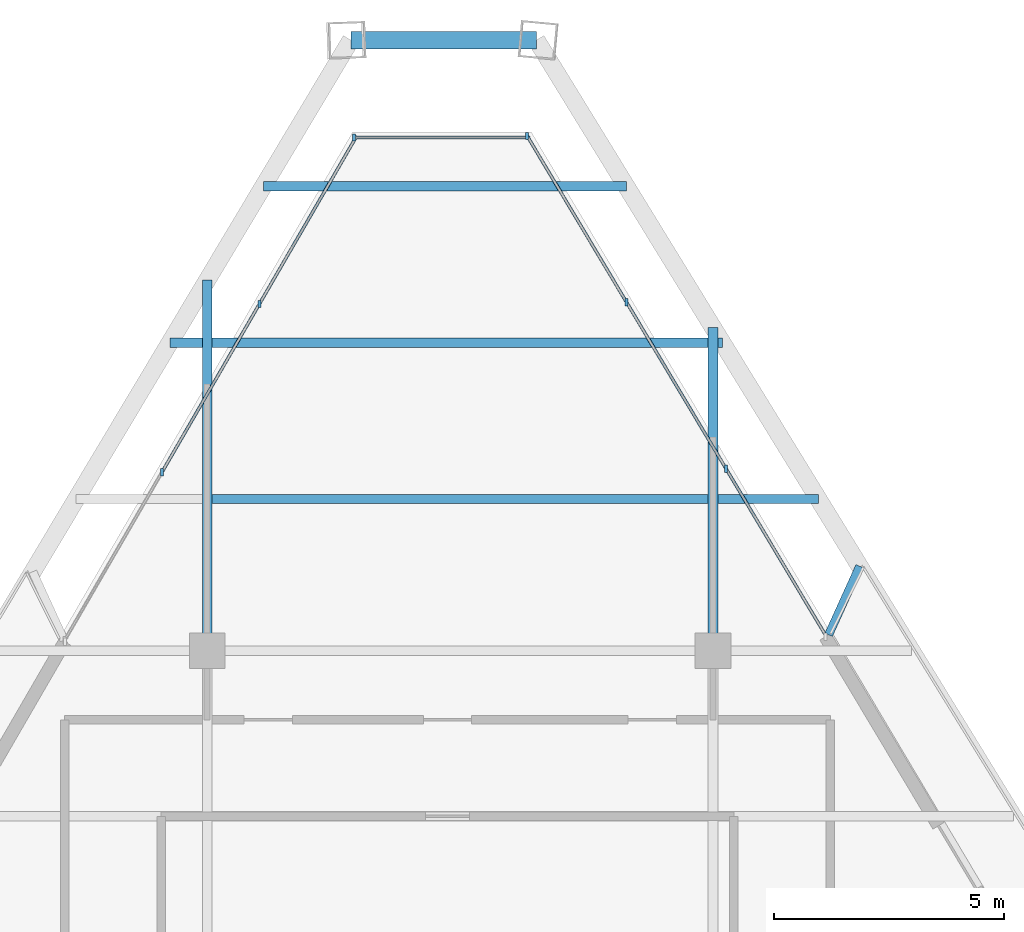
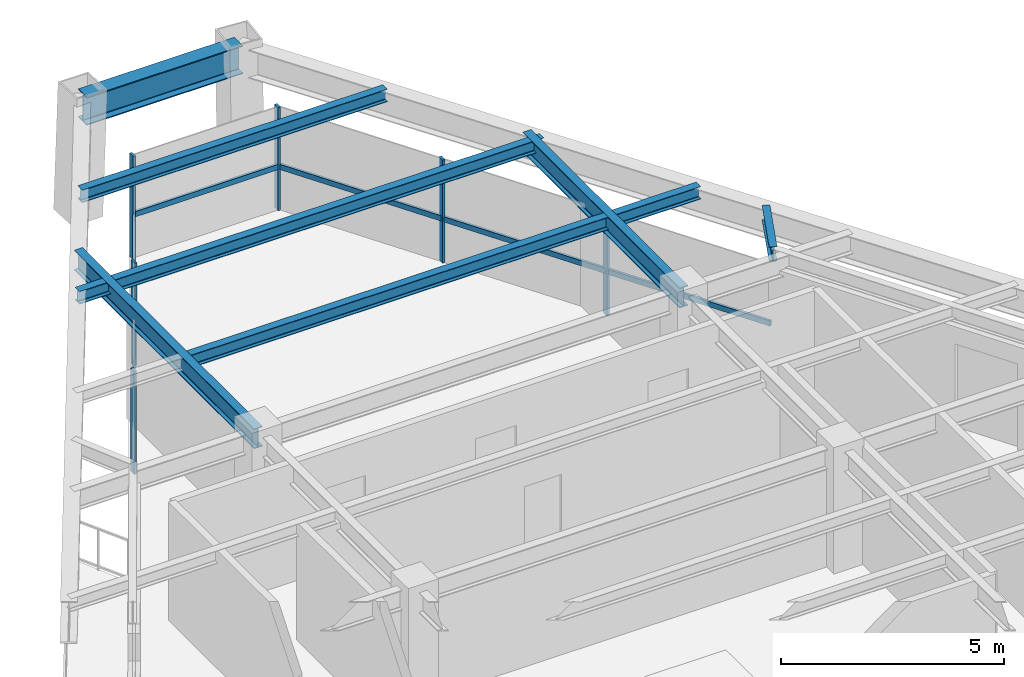
# One storey, part 7 of 13: 12 members, 8 beams, 3 elements without a shape of their own.
"""IFC4 building model written with IfcOpenShell, lengths in metres."""

import ifcopenshell
import ifcopenshell.guid

model = None  # the IFC model being written
_history = None  # IfcOwnerHistory: only IFC2X3 demands one
_inside = {}  # id of a spatial element -> (the spatial element, [elements in it])
_under = {}  # id of a project, library or spatial element -> (it, [spatial elements below it])
_declared = {}  # id of a project -> (the project, [libraries it declares])
_typed = {}  # id of a type object -> (the type object, [elements of that type])
_made_of = {}  # id of a material, layer set ... -> (it, [elements and type objects made of it])


def new_model(schema):
    """Start an empty IFC model of exactly this schema.

    Asked for "IFC4X3", IfcOpenShell would pick the latest addendum, in which some entities
    have other attributes; the version numbers below select the first issue.
    IFC2X3 requires an IfcOwnerHistory on every rooted entity: one is made here for all.
    """
    global model, _history
    if schema == "IFC4X3":
        model = ifcopenshell.file(schema_version=(4, 3, 0, 0))
    else:
        model = ifcopenshell.file(schema=schema)
    _inside.clear()
    _under.clear()
    _declared.clear()
    _typed.clear()
    _made_of.clear()
    _history = None
    if model.schema == "IFC2X3":
        org = make("IfcOrganization", Name="unknown")
        user = make(
            "IfcPersonAndOrganization",
            ThePerson=make("IfcPerson", FamilyName="unknown"),
            TheOrganization=org,
        )
        app = make(
            "IfcApplication",
            ApplicationDeveloper=org,
            Version="unknown",
            ApplicationFullName="unknown",
            ApplicationIdentifier="unknown",
        )
        _history = make(
            "IfcOwnerHistory",
            OwningUser=user,
            OwningApplication=app,
            ChangeAction="ADDED",
            CreationDate=0,
        )
    return model


def make(cls, **values):
    """One entity of the class cls with the attributes given. An attribute that is None is left unset."""
    return model.create_entity(
        cls, **{name: value for name, value in values.items() if value is not None}
    )


def rooted(cls, **values):
    """An entity with a GlobalId (a new one), such as an element, a storey or a relation."""
    return make(cls, GlobalId=ifcopenshell.guid.new(), OwnerHistory=_history, **values)


def si_unit(unit_type, name, prefix=None):
    """IfcSIUnit, for example si_unit("LENGTHUNIT", "METRE", prefix="MILLI")."""
    return make("IfcSIUnit", UnitType=unit_type, Prefix=prefix, Name=name)


def assignment(units):
    """IfcUnitAssignment: the units of a project."""
    return None if units is None else make("IfcUnitAssignment", Units=units)


def point(xyz):
    """IfcCartesianPoint."""
    return None if xyz is None else make("IfcCartesianPoint", Coordinates=xyz)


def direction(xyz):
    """IfcDirection."""
    return None if xyz is None else make("IfcDirection", DirectionRatios=xyz)


def frame(location, z_axis=None, x_axis=None):
    """IfcAxis2Placement3D, a coordinate frame: its origin and axes. An axis left out is left unset."""
    return make(
        "IfcAxis2Placement3D",
        Location=point(location),
        Axis=direction(z_axis),
        RefDirection=direction(x_axis),
    )


def frame_2d(location, x_axis=None):
    """IfcAxis2Placement2D, a coordinate frame in the plane: its origin and x axis."""
    return make(
        "IfcAxis2Placement2D", Location=point(location), RefDirection=direction(x_axis)
    )


def origin():
    """The frame at (0, 0, 0) with its axes left unset."""
    return frame((0.0, 0.0, 0.0))


def origin_2d():
    """The frame at (0, 0) in the plane with its x axis left unset."""
    return frame_2d((0.0, 0.0))


def place(relative_to, where):
    """IfcLocalPlacement: puts the frame where relative to a parent placement (None: the world)."""
    return make(
        "IfcLocalPlacement", PlacementRelTo=relative_to, RelativePlacement=where
    )


def context(
    kind, dimensions, precision=None, world=None, true_north=None, identifier=None
):
    """IfcGeometricRepresentationContext, for example the 3D "Model" context."""
    return make(
        "IfcGeometricRepresentationContext",
        ContextIdentifier=identifier,
        ContextType=kind,
        CoordinateSpaceDimension=dimensions,
        Precision=precision,
        WorldCoordinateSystem=world,
        TrueNorth=true_north,
    )


def subcontext(parent, identifier, kind, view, scale=None):
    """IfcGeometricRepresentationSubContext, for example "Body" below "Model"."""
    return make(
        "IfcGeometricRepresentationSubContext",
        ContextIdentifier=identifier,
        ContextType=kind,
        ParentContext=parent,
        TargetScale=scale,
        TargetView=view,
    )


def project(units=None, contexts=None):
    """IfcProject with its units and contexts."""
    return rooted(
        "IfcProject",
        Name="project",
        RepresentationContexts=contexts,
        UnitsInContext=assignment(units),
    )


def spatial(cls, under=None, at=None, **own):
    """A site, building, storey or space (cls), placed at a placement, below another one or the project."""
    s = rooted(cls, ObjectPlacement=at, **own)
    if under is not None:
        _under.setdefault(under.id(), (under, []))[1].append(s)
    return s


def profile(cls, at=None, kind="AREA", **sizes):
    """A parametric profile (cls). Its sizes go by their IFC names, for example OverallWidth=200.0."""
    return make(cls, ProfileType=kind, Position=at, **sizes)


def rectangle(**sizes):
    """IfcRectangleProfileDef."""
    return profile("IfcRectangleProfileDef", **sizes)


def i_section(**sizes):
    """IfcIShapeProfileDef."""
    return profile("IfcIShapeProfileDef", **sizes)


def extrude(swept, where, along, depth):
    """IfcExtrudedAreaSolid: the profile swept, set in the frame where, extruded along a direction by depth."""
    return make(
        "IfcExtrudedAreaSolid",
        SweptArea=swept,
        Position=where,
        ExtrudedDirection=direction(along),
        Depth=depth,
    )


def shape(context_of_items, identifier, shape_type, items):
    """IfcShapeRepresentation: the items that make up one representation, for example the "Body"."""
    return make(
        "IfcShapeRepresentation",
        ContextOfItems=context_of_items,
        RepresentationIdentifier=identifier,
        RepresentationType=shape_type,
        Items=items,
    )


def source(mapping_origin, context_of_items, identifier, shape_type, items):
    """IfcRepresentationMap: a shape defined once, which mapped items show again and again."""
    return make(
        "IfcRepresentationMap",
        MappingOrigin=mapping_origin,
        MappedRepresentation=shape(context_of_items, identifier, shape_type, items),
    )


def transform(
    local_origin,
    x_axis=None,
    y_axis=None,
    z_axis=None,
    scale=None,
    scale2=None,
    scale3=None,
    uniform=True,
):
    """IfcCartesianTransformationOperator3D, or its non-uniform kind. x_axis, y_axis, z_axis: its Axis1, 2, 3."""
    if uniform:
        return make(
            "IfcCartesianTransformationOperator3D",
            Axis1=direction(x_axis),
            Axis2=direction(y_axis),
            LocalOrigin=point(local_origin),
            Scale=scale,
            Axis3=direction(z_axis),
        )
    return make(
        "IfcCartesianTransformationOperator3DnonUniform",
        Axis1=direction(x_axis),
        Axis2=direction(y_axis),
        LocalOrigin=point(local_origin),
        Scale=scale,
        Axis3=direction(z_axis),
        Scale2=scale2,
        Scale3=scale3,
    )


def mapped(mapping_source, mapping_target):
    """IfcMappedItem: shows the shape of a source again, moved by a transform."""
    return make(
        "IfcMappedItem", MappingSource=mapping_source, MappingTarget=mapping_target
    )


def material(Name=None, Category=None):
    """IfcMaterial."""
    return make("IfcMaterial", Name=Name, Category=Category)


def material_profile(
    of_material, cross_section, Name=None, Category=None, Priority=None
):
    """IfcMaterialProfile: a cross section and its material."""
    return make(
        "IfcMaterialProfile",
        Name=Name,
        Material=of_material,
        Profile=cross_section,
        Priority=Priority,
        Category=Category,
    )


def profile_set(profiles, Name=None, composite=None):
    """IfcMaterialProfileSet."""
    return make(
        "IfcMaterialProfileSet",
        Name=Name,
        MaterialProfiles=profiles,
        CompositeProfile=composite,
    )


def made_of(thing, what):
    """Note that an element or type object is made of a material, layer set ...; save() writes the relation."""
    if what is not None:
        _made_of.setdefault(what.id(), (what, []))[1].append(thing)
    return thing


def type_object(cls, material=None, **own):
    """A type object (cls), such as IfcWallType, which elements share."""
    return made_of(rooted(cls, **own), material)


def type_shapes(of_type, sources):
    """Give a type object the sources (RepresentationMaps) that its elements show as mapped items."""
    of_type.RepresentationMaps = sources


def element(
    cls,
    number,
    at=None,
    inside=None,
    cuts=None,
    type_object=None,
    material=None,
    context=None,
    identifier="Body",
    shape_type=None,
    held_by="IfcProductDefinitionShape",
    body=None,
    shapes=None,
    **own,
):
    """One element of the class cls, such as IfcWall. Its Tag is "e" and its number.

    at: its placement. inside: the storey or other place that contains it. cuts: it is an
    opening in that element (IfcRelVoidsElement). A single representation is given by context,
    identifier, shape_type and body (its items); several are given by shapes. held_by: the class
    of the entity that holds the representations. save() writes the other relations.
    """
    e = rooted(cls, Tag="e%d" % number, ObjectPlacement=at, **own)
    if body is not None:
        shapes = [shape(context, identifier, shape_type, body)]
    if shapes is not None:
        e.Representation = make(held_by, Representations=shapes)
    if inside is not None:
        _inside.setdefault(inside.id(), (inside, []))[1].append(e)
    if cuts is not None:
        rooted(
            "IfcRelVoidsElement", RelatingBuildingElement=cuts, RelatedOpeningElement=e
        )
    if type_object is not None:
        _typed.setdefault(type_object.id(), (type_object, []))[1].append(e)
    return made_of(e, material)


def aggregate(whole, parts):
    """IfcRelAggregates: a whole, such as a stair, and the parts it consists of."""
    return rooted("IfcRelAggregates", RelatingObject=whole, RelatedObjects=parts)


def save(model, path):
    """Write the relations noted so far, then the file.

    IfcRelAggregates (storeys below a building ...), IfcRelContainedInSpatialStructure (elements
    in a storey), IfcRelDefinesByType, IfcRelAssociatesMaterial and IfcRelDeclares: one each for
    every whole, place, type object, material and project.
    """
    for whole, parts in _under.values():
        aggregate(whole, parts)
    for where, things in _inside.values():
        rooted(
            "IfcRelContainedInSpatialStructure",
            RelatedElements=things,
            RelatingStructure=where,
        )
    for kind, things in _typed.values():
        rooted("IfcRelDefinesByType", RelatedObjects=things, RelatingType=kind)
    for what, things in _made_of.values():
        rooted("IfcRelAssociatesMaterial", RelatedObjects=things, RelatingMaterial=what)
    for by, libraries in _declared.values():
        rooted("IfcRelDeclares", RelatingContext=by, RelatedDefinitions=libraries)
    model.write(path)


model = new_model("IFC4")

# Units and contexts
model_context = context("Model", 3, precision=1e-05, world=origin(), true_north=direction((0.0, 1.0)))
body_context = subcontext(model_context, "Body", "Model", "MODEL_VIEW")
ifc_project = project(units=[si_unit("LENGTHUNIT", "METRE"), si_unit("AREAUNIT", "SQUARE_METRE"), si_unit("VOLUMEUNIT", "CUBIC_METRE"), si_unit("PLANEANGLEUNIT", "RADIAN"), si_unit("MASSUNIT", "GRAM", prefix="KILO")], contexts=[model_context])

# Site, building, storey
site_placement = place(None, origin())
site = spatial("IfcSite", under=ifc_project, at=site_placement, CompositionType="ELEMENT")
building_placement = place(site_placement, origin())
building = spatial("IfcBuilding", under=site, at=building_placement, Name="Varnakhor Terracotta Tower", CompositionType="ELEMENT")
storey_placement = place(building_placement, frame((0.0, 0.0, 269.550048828125)))
storey = spatial("IfcBuildingStorey", under=building, at=storey_placement, Name="L70", CompositionType="ELEMENT", Elevation=269.550048828125)

# Beams
ifc_material_1 = material(Name="Steel S355", Category="steel")
ifc_material_profile_1 = material_profile(ifc_material_1, i_section(OverallWidth=0.202880859375, OverallDepth=0.346923828125, WebThickness=0.0078125, FlangeThickness=0.013427734375, FilletRadius=0.01806640625, at=origin_2d()), Name="W14X43")
ifc_profile_set_1 = profile_set([ifc_material_profile_1], Name="Steel S355")
beam_type_1 = type_object("IfcBeamType", Name="JST-W14X43", PredefinedType="JOIST", material=ifc_profile_set_1)
shared_shape_1 = source(origin(), body_context, "Body", "SweptSolid", [
    extrude(i_section(OverallWidth=0.202880859375, OverallDepth=0.346923828125, WebThickness=0.0078125, FlangeThickness=0.013427734375, FilletRadius=0.01806640625, at=origin_2d()), origin(), (0.0, 0.0, 1.0), 10.7939453125),
])
beam_1_placement = place(storey_placement, frame((-5.39697265625, 34.800048828125, 3.06640625), z_axis=(1.0, 0.0, 0.0), x_axis=(0.0, 1.0, 0.0)))
element("IfcBeam", 1, at=beam_1_placement, inside=storey, type_object=beam_type_1, Name="L70 Composite Floor Joist 7-2", PredefinedType="JOIST", context=body_context, shape_type="MappedRepresentation", body=[
    mapped(shared_shape_1, transform((0.0, 0.0, 0.0), scale=1.0)),
])
ifc_material_profile_2 = material_profile(ifc_material_1, i_section(OverallWidth=0.381103515625, OverallDepth=0.77294921875, WebThickness=0.01708984375, FlangeThickness=0.027099609375, FilletRadius=0.01806640625, at=origin_2d()), Name="W30X173")
ifc_profile_set_2 = profile_set([ifc_material_profile_2], Name="Steel S355")
beam_type_2 = type_object("IfcBeamType", Name="BM-W30X173", PredefinedType="BEAM", material=ifc_profile_set_2)
shared_shape_2 = source(origin(), body_context, "Body", "SweptSolid", [
    extrude(i_section(OverallWidth=0.381103515625, OverallDepth=0.77294921875, WebThickness=0.01708984375, FlangeThickness=0.027099609375, FilletRadius=0.01806640625, at=origin_2d()), origin(), (0.0, 0.0, 1.0), 4.036376953125),
])
beam_2_placement = place(storey_placement, frame((1.6591796875, 44.78076171875, 2.853515625), z_axis=(-1.0, 0.0, 0.0), x_axis=(0.0, -1.0, 0.0)))
element("IfcBeam", 2, at=beam_2_placement, inside=storey, type_object=beam_type_2, Name="L70 Perimeter Spandrel 5", PredefinedType="BEAM", context=body_context, shape_type="MappedRepresentation", body=[
    mapped(shared_shape_2, transform((0.0, 0.0, 0.0), scale=1.0)),
])
ifc_material_profile_3 = material_profile(ifc_material_1, i_section(OverallWidth=0.214111328125, OverallDepth=0.549072265625, WebThickness=0.014892578125, FlangeThickness=0.02392578125, FilletRadius=0.01806640625, at=origin_2d()), Name="W21X93")
ifc_profile_set_3 = profile_set([ifc_material_profile_3], Name="Steel S355")
beam_type_3 = type_object("IfcBeamType", Name="BM-W21X93", PredefinedType="BEAM", material=ifc_profile_set_3)
shared_shape_3 = source(origin(), body_context, "Body", "SweptSolid", [
    extrude(i_section(OverallWidth=0.214111328125, OverallDepth=0.549072265625, WebThickness=0.014892578125, FlangeThickness=0.02392578125, FilletRadius=0.01806640625, at=origin_2d()), origin(), (0.0, 0.0, 1.0), 8.060302734375),
])
beam_3_placement = place(storey_placement, frame((-5.5, 31.5, 2.96533203125), z_axis=(0.0, 1.0, 0.0), x_axis=(-1.0, 0.0, 0.0)))
element("IfcBeam", 3, at=beam_3_placement, inside=storey, type_object=beam_type_3, Name="L70 Primary Girder NS3-W", PredefinedType="BEAM", context=body_context, shape_type="MappedRepresentation", body=[
    mapped(shared_shape_3, transform((0.0, 0.0, 0.0), scale=1.0)),
])
shared_shape_4 = source(origin(), body_context, "Body", "SweptSolid", [
    extrude(i_section(OverallWidth=0.214111328125, OverallDepth=0.549072265625, WebThickness=0.014892578125, FlangeThickness=0.02392578125, FilletRadius=0.01806640625, at=origin_2d()), origin(), (0.0, 0.0, 1.0), 7.027587890625),
])
beam_4_placement = place(storey_placement, frame((5.5, 31.5, 2.96533203125), z_axis=(0.0, 1.0, 0.0), x_axis=(-1.0, 0.0, 0.0)))
element("IfcBeam", 4, at=beam_4_placement, inside=storey, type_object=beam_type_3, Name="L70 Primary Girder NS3-E", PredefinedType="BEAM", context=body_context, shape_type="MappedRepresentation", body=[
    mapped(shared_shape_4, transform((0.0, 0.0, 0.0), scale=1.0)),
])
shared_shape_5 = source(origin(), body_context, "Body", "SweptSolid", [
    extrude(i_section(OverallWidth=0.202880859375, OverallDepth=0.346923828125, WebThickness=0.0078125, FlangeThickness=0.013427734375, FilletRadius=0.01806640625, at=origin_2d()), origin(), (0.0, 0.0, 1.0), 2.1865234375),
])
beam_5_placement = place(storey_placement, frame((5.60302734375, 34.800048828125, 3.06640625), z_axis=(1.0, 0.0, 0.0), x_axis=(0.0, 1.0, 0.0)))
element("IfcBeam", 5, at=beam_5_placement, inside=storey, type_object=beam_type_1, Name="L70 Composite Floor Joist 7-3", PredefinedType="JOIST", context=body_context, shape_type="MappedRepresentation", body=[
    mapped(shared_shape_5, transform((0.0, 0.0, 0.0), scale=1.0)),
])
shared_shape_6 = source(origin(), body_context, "Body", "SweptSolid", [
    extrude(i_section(OverallWidth=0.202880859375, OverallDepth=0.346923828125, WebThickness=0.0078125, FlangeThickness=0.013427734375, FilletRadius=0.01806640625, at=origin_2d()), origin(), (0.0, 0.0, 1.0), 12.01513671875),
])
beam_6_placement = place(storey_placement, frame((-6.313720703125, 38.199951171875, 3.06640625), z_axis=(1.0, 0.0, 0.0), x_axis=(0.0, 1.0, 0.0)))
element("IfcBeam", 6, at=beam_6_placement, inside=storey, type_object=beam_type_1, Name="L70 Composite Floor Joist 8-1", PredefinedType="JOIST", context=body_context, shape_type="MappedRepresentation", body=[
    mapped(shared_shape_6, transform((0.0, 0.0, 0.0), scale=1.0)),
])
shared_shape_7 = source(origin(), body_context, "Body", "SweptSolid", [
    extrude(i_section(OverallWidth=0.202880859375, OverallDepth=0.346923828125, WebThickness=0.0078125, FlangeThickness=0.013427734375, FilletRadius=0.01806640625, at=origin_2d()), origin(), (0.0, 0.0, 1.0), 7.892822265625),
])
beam_7_placement = place(storey_placement, frame((-4.27978515625, 41.60009765625, 3.06640625), z_axis=(1.0, 0.0, 0.0), x_axis=(0.0, 1.0, 0.0)))
element("IfcBeam", 7, at=beam_7_placement, inside=storey, type_object=beam_type_1, Name="L70 Composite Floor Joist 9-1", PredefinedType="JOIST", context=body_context, shape_type="MappedRepresentation", body=[
    mapped(shared_shape_7, transform((0.0, 0.0, 0.0), scale=1.0)),
])
ifc_material_profile_4 = material_profile(ifc_material_1, i_section(OverallWidth=0.179931640625, OverallDepth=0.39990234375, WebThickness=0.008544921875, FlangeThickness=0.013427734375, FilletRadius=0.01806640625, at=origin_2d()), Name="IPE400")
ifc_profile_set_4 = profile_set([ifc_material_profile_4], Name="Steel S355")
beam_type_4 = type_object("IfcBeamType", Name="JST-IPE400", PredefinedType="JOIST", material=ifc_profile_set_4)
shared_shape_8 = source(origin(), body_context, "Body", "SweptSolid", [
    extrude(i_section(OverallWidth=0.179931640625, OverallDepth=0.39990234375, WebThickness=0.008544921875, FlangeThickness=0.013427734375, FilletRadius=0.01806640625, at=origin_2d()), origin(), (0.0, 0.0, 1.0), 1.635986328125),
])
beam_8_placement = place(storey_placement, frame((8.011962890625, 31.848388671875, 3.0400390625), z_axis=(0.412925757029, 0.910764689248, 0.0), x_axis=(-0.910764689248, 0.412925757029, 0.0)))
element("IfcBeam", 8, at=beam_8_placement, inside=storey, type_object=beam_type_4, Name="L71 E Loggia Tie Beam 1", PredefinedType="JOIST", context=body_context, shape_type="MappedRepresentation", body=[
    mapped(shared_shape_8, transform((0.0, 0.0, 0.0), scale=1.0)),
])

# Curtain wall, members
ifc_material_2 = material(Name="Anodised Aluminium Curtain Wall System", Category="aluminium")
curtain_wall_type = type_object("IfcCurtainWallType", Name="CW-SYS-HOTEL-LOGGIA", PredefinedType="NOTDEFINED", material=ifc_material_2)
curtain_wall_1_placement = place(storey_placement, origin())
curtain_wall_1 = element("IfcCurtainWall", 9, at=curtain_wall_1_placement, inside=storey, type_object=curtain_wall_type, Name="L70 W Facet Curtain Wall 2", PredefinedType="NOTDEFINED")
ifc_material_3 = material(Name="Anodised Aluminium 6063-T6", Category="aluminium")
ifc_material_profile_5 = material_profile(ifc_material_3, rectangle(XDim=0.06494140625, YDim=0.159912109375, at=origin_2d()), Name="ALU MULLION 65x160")
ifc_profile_set_5 = profile_set([ifc_material_profile_5], Name="Anodised Aluminium 6063-T6")
member_type_1 = type_object("IfcMemberType", Name="CWM-04", PredefinedType="MULLION", material=ifc_profile_set_5)
shared_shape_9 = source(origin(), body_context, "Body", "SweptSolid", [
    extrude(rectangle(XDim=0.06494140625, YDim=0.159912109375, at=origin_2d()), origin(), (0.0, 0.0, 1.0), 2.820068359375),
])
type_shapes(member_type_1, [shared_shape_9])
member_1_placement = place(storey_placement, frame((-6.481201171875, 35.385986328125, 0.0), z_axis=(0.0, 0.0, 1.0), x_axis=(1.0, 0.0, 0.0)))
member_1 = element("IfcMember", 10, at=member_1_placement, type_object=member_type_1, Name="L70 W Facet Curtain Wall 2 Mullion 2", PredefinedType="MULLION", context=body_context, shape_type="MappedRepresentation", body=[
    mapped(shared_shape_9, transform((0.0, 0.0, 0.0), scale=1.0)),
])
member_2_placement = place(storey_placement, frame((-4.36474609375, 39.040283203125, 0.0), z_axis=(0.0, 0.0, 1.0), x_axis=(1.0, 0.0, 0.0)))
member_2 = element("IfcMember", 11, at=member_2_placement, type_object=member_type_1, Name="L70 W Facet Curtain Wall 2 Mullion 3", PredefinedType="MULLION", context=body_context, shape_type="MappedRepresentation", body=[
    mapped(shared_shape_9, transform((0.0, 0.0, 0.0), scale=1.0)),
])

# Curtain wall, member
curtain_wall_2_placement = place(storey_placement, origin())
curtain_wall_2 = element("IfcCurtainWall", 12, at=curtain_wall_2_placement, inside=storey, type_object=curtain_wall_type, Name="L70 Facet Curtain Wall 2", PredefinedType="NOTDEFINED")
member_3_placement = place(storey_placement, frame((-2.306884765625, 42.66064453125, 0.0), z_axis=(0.0, 0.0, 1.0), x_axis=(1.0, 0.0, 0.0)))
member_3 = element("IfcMember", 13, at=member_3_placement, type_object=member_type_1, Name="L70 Facet Curtain Wall 2 Mullion 1", PredefinedType="MULLION", context=body_context, shape_type="MappedRepresentation", body=[
    mapped(shared_shape_9, transform((0.0, 0.0, 0.0), scale=1.0)),
])

# Curtain wall, members
curtain_wall_3_placement = place(storey_placement, origin())
curtain_wall_3 = element("IfcCurtainWall", 14, at=curtain_wall_3_placement, inside=storey, type_object=curtain_wall_type, Name="L70 E Facet Curtain Wall 1", PredefinedType="NOTDEFINED")
member_4_placement = place(storey_placement, frame((1.45849609375, 42.693359375, 0.0), z_axis=(0.0, 0.0, 1.0), x_axis=(1.0, 0.0, 0.0)))
member_4 = element("IfcMember", 15, at=member_4_placement, type_object=member_type_1, Name="L70 E Facet Curtain Wall 1 Mullion 1", PredefinedType="MULLION", context=body_context, shape_type="MappedRepresentation", body=[
    mapped(shared_shape_9, transform((0.0, 0.0, 0.0), scale=1.0)),
])
member_5_placement = place(storey_placement, frame((3.620361328125, 39.076416015625, 0.0), z_axis=(0.0, 0.0, 1.0), x_axis=(1.0, 0.0, 0.0)))
member_5 = element("IfcMember", 16, at=member_5_placement, type_object=member_type_1, Name="L70 E Facet Curtain Wall 1 Mullion 2", PredefinedType="MULLION", context=body_context, shape_type="MappedRepresentation", body=[
    mapped(shared_shape_9, transform((0.0, 0.0, 0.0), scale=1.0)),
])
member_6_placement = place(storey_placement, frame((5.7822265625, 35.459716796875, 0.0), z_axis=(0.0, 0.0, 1.0), x_axis=(1.0, 0.0, 0.0)))
member_6 = element("IfcMember", 17, at=member_6_placement, type_object=member_type_1, Name="L70 E Facet Curtain Wall 1 Mullion 3", PredefinedType="MULLION", context=body_context, shape_type="MappedRepresentation", body=[
    mapped(shared_shape_9, transform((0.0, 0.0, 0.0), scale=1.0)),
])

# Member
ifc_material_profile_6 = material_profile(ifc_material_3, rectangle(XDim=0.06494140625, YDim=0.14501953125, at=origin_2d()), Name="ALU TRANSOM 65x145")
ifc_profile_set_6 = profile_set([ifc_material_profile_6], Name="Anodised Aluminium 6063-T6")
member_type_2 = type_object("IfcMemberType", Name="CWT-04", PredefinedType="USERDEFINED", material=ifc_profile_set_6)
shared_shape_10 = source(origin(), body_context, "Body", "SweptSolid", [
    extrude(rectangle(XDim=0.06494140625, YDim=0.14501953125, at=origin_2d()), origin(), (0.0, 0.0, 1.0), 4.222900390625),
])
member_7_placement = place(storey_placement, frame((-6.481201171875, 35.385986328125, 1.184326171875), z_axis=(0.501179836291, 0.865343152567, 0.0), x_axis=(-0.865343152567, 0.501179836291, 0.0)))
member_7 = element("IfcMember", 18, at=member_7_placement, type_object=member_type_2, Name="L70 W Facet Curtain Wall 2 Transom 2", ObjectType="TRANSOM", PredefinedType="USERDEFINED", context=body_context, shape_type="MappedRepresentation", body=[
    mapped(shared_shape_10, transform((0.0, 0.0, 0.0), scale=1.0)),
])

shared_shape_11 = source(origin(), body_context, "Body", "SweptSolid", [
    extrude(rectangle(XDim=0.06494140625, YDim=0.14501953125, at=origin_2d()), origin(), (0.0, 0.0, 1.0), 4.22314453125),
])
member_8_placement = place(storey_placement, frame((-4.36474609375, 39.040283203125, 1.184326171875), z_axis=(0.501223125778, 0.865318079197, 0.0), x_axis=(-0.865318079197, 0.501223125778, 0.0)))
member_8 = element("IfcMember", 19, at=member_8_placement, type_object=member_type_2, Name="L70 W Facet Curtain Wall 2 Transom 3", ObjectType="TRANSOM", PredefinedType="USERDEFINED", context=body_context, shape_type="MappedRepresentation", body=[
    mapped(shared_shape_11, transform((0.0, 0.0, 0.0), scale=1.0)),
])

aggregate(curtain_wall_1, [member_1, member_7, member_2, member_8])

shared_shape_12 = source(origin(), body_context, "Body", "SweptSolid", [
    extrude(rectangle(XDim=0.06494140625, YDim=0.14501953125, at=origin_2d()), origin(), (0.0, 0.0, 1.0), 3.822998046875),
])
member_9_placement = place(storey_placement, frame((-2.306884765625, 42.66064453125, 1.184326171875), z_axis=(1.0, 0.0, 0.0), x_axis=(0.0, 1.0, 0.0)))
member_9 = element("IfcMember", 20, at=member_9_placement, type_object=member_type_2, Name="L70 Facet Curtain Wall 2 Transom 1", ObjectType="TRANSOM", PredefinedType="USERDEFINED", context=body_context, shape_type="MappedRepresentation", body=[
    mapped(shared_shape_12, transform((0.0, 0.0, 0.0), scale=1.0)),
])

aggregate(curtain_wall_2, [member_3, member_9])

shared_shape_13 = source(origin(), body_context, "Body", "SweptSolid", [
    extrude(rectangle(XDim=0.06494140625, YDim=0.14501953125, at=origin_2d()), origin(), (0.0, 0.0, 1.0), 4.2138671875),
])
member_10_placement = place(storey_placement, frame((1.45849609375, 42.693359375, 1.184326171875), z_axis=(0.513046555695, -0.858360781775, 0.0), x_axis=(0.858360781775, 0.513046555695, 0.0)))
member_10 = element("IfcMember", 21, at=member_10_placement, type_object=member_type_2, Name="L70 E Facet Curtain Wall 1 Transom 1", ObjectType="TRANSOM", PredefinedType="USERDEFINED", context=body_context, shape_type="MappedRepresentation", body=[
    mapped(shared_shape_13, transform((0.0, 0.0, 0.0), scale=1.0)),
])

member_11_placement = place(storey_placement, frame((5.7822265625, 35.459716796875, 1.184326171875), z_axis=(0.513046555695, -0.858360781775, 0.0), x_axis=(0.858360781775, 0.513046555695, 0.0)))
member_11 = element("IfcMember", 22, at=member_11_placement, type_object=member_type_2, Name="L70 E Facet Curtain Wall 1 Transom 3", ObjectType="TRANSOM", PredefinedType="USERDEFINED", context=body_context, shape_type="MappedRepresentation", body=[
    mapped(shared_shape_13, transform((0.0, 0.0, 0.0), scale=1.0)),
])

shared_shape_14 = source(origin(), body_context, "Body", "SweptSolid", [
    extrude(rectangle(XDim=0.06494140625, YDim=0.14501953125, at=origin_2d()), origin(), (0.0, 0.0, 1.0), 4.213623046875),
])
member_12_placement = place(storey_placement, frame((3.620361328125, 39.076416015625, 1.184326171875), z_axis=(0.513072071695, -0.858345530219, 0.0), x_axis=(0.858345530219, 0.513072071695, 0.0)))
member_12 = element("IfcMember", 23, at=member_12_placement, type_object=member_type_2, Name="L70 E Facet Curtain Wall 1 Transom 2", ObjectType="TRANSOM", PredefinedType="USERDEFINED", context=body_context, shape_type="MappedRepresentation", body=[
    mapped(shared_shape_14, transform((0.0, 0.0, 0.0), scale=1.0)),
])

aggregate(curtain_wall_3, [member_4, member_10, member_5, member_12, member_6, member_11])

save(model, "model.ifc")
